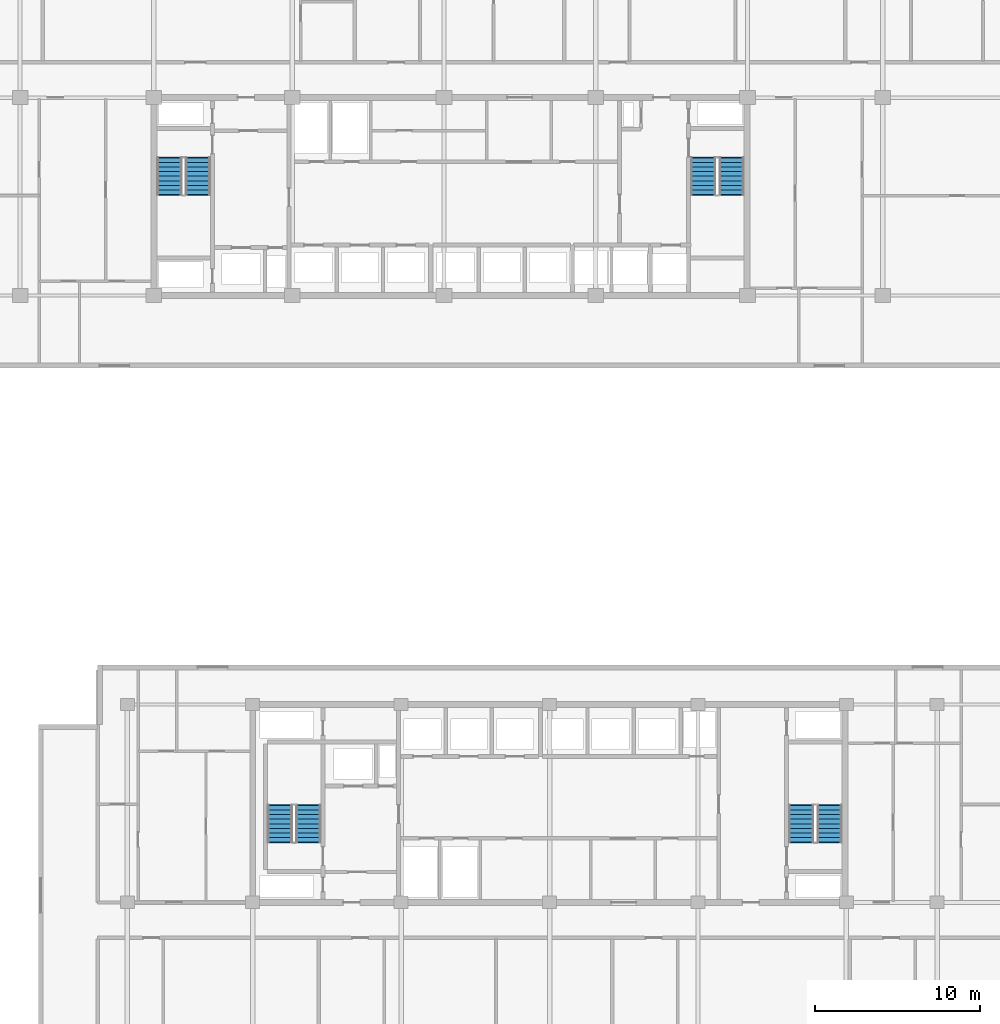
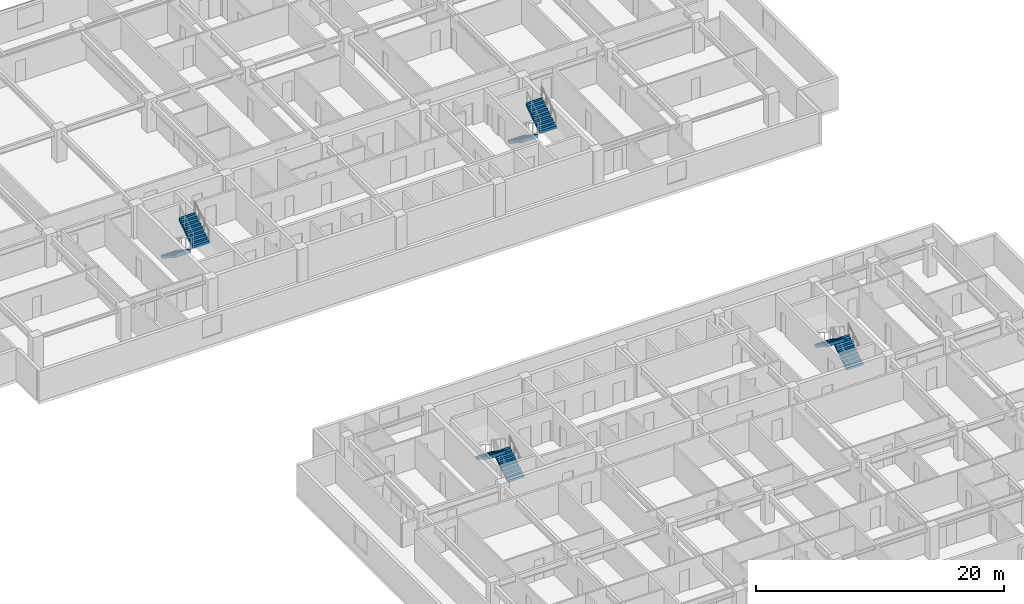
# One storey, part 17 of 22: 8 stair flights, 4 elements without a shape of their own.
"""IFC4 building model written with IfcOpenShell, lengths in metres."""

from ifc_helpers import new_model, si_unit, direction, frame, origin, place, context, subcontext, project, spatial, polyline, outline, extrude, material, type_object, element, aggregate, save


model = new_model("IFC4")

# Units and contexts
model_context = context("Model", 3, precision=1e-05, world=origin(), true_north=direction((0.0, 1.0)))
body_context = subcontext(model_context, "Body", "Model", "MODEL_VIEW")
ifc_project = project(units=[si_unit("LENGTHUNIT", "METRE"), si_unit("AREAUNIT", "SQUARE_METRE"), si_unit("VOLUMEUNIT", "CUBIC_METRE"), si_unit("PLANEANGLEUNIT", "RADIAN"), si_unit("MASSUNIT", "GRAM", prefix="KILO")], contexts=[model_context])

# Site, building, storey
site_placement = place(None, origin())
site = spatial("IfcSite", under=ifc_project, at=site_placement, CompositionType="ELEMENT")
building_placement = place(site_placement, origin())
building = spatial("IfcBuilding", under=site, at=building_placement, Name="Korimba Cascade Residences", CompositionType="ELEMENT")
storey_placement = place(building_placement, frame((0.0, 0.0, 84.050048828125)))
storey = spatial("IfcBuildingStorey", under=building, at=storey_placement, Name="L23", CompositionType="ELEMENT", Elevation=84.050048828125)

# Stair, stair flights
ifc_material = material(Name="Concrete C50/60", Category="concrete")
stair_type_1 = type_object("IfcStairType", Name="STR-W1-18R-1806", PredefinedType="HALF_TURN_STAIR", material=ifc_material)
stair_1_placement = place(storey_placement, origin())
stair_1 = element("IfcStair", 1, at=stair_1_placement, inside=storey, type_object=stair_type_1, Name="L23 Tower 1 West Fire Stair ST-W1", PredefinedType="HALF_TURN_STAIR")
stair_flight_type = type_object("IfcStairFlightType", Name="STF-DL-18R-1806-1520", PredefinedType="STRAIGHT", material=ifc_material)
stair_flight_1_placement = place(storey_placement, frame((77.06005859375, 63.550048828125, 0.0), z_axis=(0.0, 0.0, 1.0), x_axis=(0.0, -1.0, 0.0)))
stair_flight_1 = element("IfcStairFlight", 2, at=stair_flight_1_placement, type_object=stair_flight_type, Name="ST-W1 flight 1", NumberOfRisers=9, NumberOfTreads=8, PredefinedType="STRAIGHT", RiserHeight=0.180555556, TreadLength=0.28, context=body_context, shape_type="SweptSolid", body=[
    extrude(outline(polyline([(-0.0380859375, 0.0), (0.0, 0.1806640625), (0.280029296875, 0.1806640625), (0.280029296875, 0.361083984375), (0.56005859375, 0.361083984375), (0.56005859375, 0.541748046875), (0.840087890625, 0.541748046875), (0.840087890625, 0.72216796875), (1.1201171875, 0.72216796875), (1.1201171875, 0.90283203125), (1.39990234375, 0.90283203125), (1.39990234375, 1.083251953125), (1.679931640625, 1.083251953125), (1.679931640625, 1.263916015625), (1.9599609375, 1.263916015625), (1.9599609375, 1.4443359375), (2.239990234375, 1.4443359375), (2.239990234375, 1.625), (2.278076171875, 1.625), (2.278076171875, 1.26611328125), (0.276611328125, 0.0), (0.276611328125, -0.0380859375), (-0.0380859375, -0.0380859375), (-0.0380859375, 0.0)])), frame((0.0, 0.760009765625, 0.0), z_axis=(0.0, -1.0, 0.0), x_axis=(1.0, 0.0, 0.0)), (0.0, 0.0, 1.0), 1.52001953125),
])
stair_flight_2_placement = place(storey_placement, frame((78.780029296875, 61.31005859375, 1.625), z_axis=(0.0, 0.0, 1.0), x_axis=(0.0, 1.0, 0.0)))
stair_flight_2 = element("IfcStairFlight", 3, at=stair_flight_2_placement, type_object=stair_flight_type, Name="ST-W1 flight 2", NumberOfRisers=9, NumberOfTreads=8, PredefinedType="STRAIGHT", RiserHeight=0.180555556, TreadLength=0.28, context=body_context, shape_type="SweptSolid", body=[
    extrude(outline(polyline([(-0.0380859375, 0.0), (0.0, 0.1806640625), (0.280029296875, 0.1806640625), (0.280029296875, 0.361083984375), (0.56005859375, 0.361083984375), (0.56005859375, 0.541748046875), (0.840087890625, 0.541748046875), (0.840087890625, 0.72216796875), (1.1201171875, 0.72216796875), (1.1201171875, 0.90283203125), (1.39990234375, 0.90283203125), (1.39990234375, 1.083251953125), (1.679931640625, 1.083251953125), (1.679931640625, 1.263916015625), (1.9599609375, 1.263916015625), (1.9599609375, 1.4443359375), (2.239990234375, 1.4443359375), (2.239990234375, 1.625), (2.278076171875, 1.625), (2.278076171875, 1.26611328125), (0.276611328125, 0.0), (0.276611328125, -0.0380859375), (-0.0380859375, -0.0380859375), (-0.0380859375, 0.0)])), frame((0.0, 0.760009765625, 0.0), z_axis=(0.0, -1.0, 0.0), x_axis=(1.0, 0.0, 0.0)), (0.0, 0.0, 1.0), 1.52001953125),
])
aggregate(stair_1, [stair_flight_1, stair_flight_2])

stair_type_2 = type_object("IfcStairType", Name="STR-W2-18R-1806", PredefinedType="HALF_TURN_STAIR", material=ifc_material)
stair_2_placement = place(storey_placement, origin())
stair_2 = element("IfcStair", 4, at=stair_2_placement, inside=storey, type_object=stair_type_2, Name="L23 Tower 1 East Fire Stair ST-W2", PredefinedType="HALF_TURN_STAIR")
stair_flight_3_placement = place(storey_placement, frame((109.419921875, 63.550048828125, 0.0), z_axis=(0.0, 0.0, 1.0), x_axis=(0.0, -1.0, 0.0)))
stair_flight_3 = element("IfcStairFlight", 5, at=stair_flight_3_placement, type_object=stair_flight_type, Name="ST-W2 flight 1", NumberOfRisers=9, NumberOfTreads=8, PredefinedType="STRAIGHT", RiserHeight=0.180555556, TreadLength=0.28, context=body_context, shape_type="SweptSolid", body=[
    extrude(outline(polyline([(-0.0380859375, 0.0), (0.0, 0.1806640625), (0.280029296875, 0.1806640625), (0.280029296875, 0.361083984375), (0.56005859375, 0.361083984375), (0.56005859375, 0.541748046875), (0.840087890625, 0.541748046875), (0.840087890625, 0.72216796875), (1.1201171875, 0.72216796875), (1.1201171875, 0.90283203125), (1.39990234375, 0.90283203125), (1.39990234375, 1.083251953125), (1.679931640625, 1.083251953125), (1.679931640625, 1.263916015625), (1.9599609375, 1.263916015625), (1.9599609375, 1.4443359375), (2.239990234375, 1.4443359375), (2.239990234375, 1.625), (2.278076171875, 1.625), (2.278076171875, 1.26611328125), (0.276611328125, 0.0), (0.276611328125, -0.0380859375), (-0.0380859375, -0.0380859375), (-0.0380859375, 0.0)])), frame((0.0, 0.760009765625, 0.0), z_axis=(0.0, -1.0, 0.0), x_axis=(1.0, 0.0, 0.0)), (0.0, 0.0, 1.0), 1.52001953125),
])
stair_flight_4_placement = place(storey_placement, frame((111.139892578125, 61.31005859375, 1.625), z_axis=(0.0, 0.0, 1.0), x_axis=(0.0, 1.0, 0.0)))
stair_flight_4 = element("IfcStairFlight", 6, at=stair_flight_4_placement, type_object=stair_flight_type, Name="ST-W2 flight 2", NumberOfRisers=9, NumberOfTreads=8, PredefinedType="STRAIGHT", RiserHeight=0.180555556, TreadLength=0.28, context=body_context, shape_type="SweptSolid", body=[
    extrude(outline(polyline([(-0.0380859375, 0.0), (0.0, 0.1806640625), (0.280029296875, 0.1806640625), (0.280029296875, 0.361083984375), (0.56005859375, 0.361083984375), (0.56005859375, 0.541748046875), (0.840087890625, 0.541748046875), (0.840087890625, 0.72216796875), (1.1201171875, 0.72216796875), (1.1201171875, 0.90283203125), (1.39990234375, 0.90283203125), (1.39990234375, 1.083251953125), (1.679931640625, 1.083251953125), (1.679931640625, 1.263916015625), (1.9599609375, 1.263916015625), (1.9599609375, 1.4443359375), (2.239990234375, 1.4443359375), (2.239990234375, 1.625), (2.278076171875, 1.625), (2.278076171875, 1.26611328125), (0.276611328125, 0.0), (0.276611328125, -0.0380859375), (-0.0380859375, -0.0380859375), (-0.0380859375, 0.0)])), frame((0.0, 0.760009765625, 0.0), z_axis=(0.0, -1.0, 0.0), x_axis=(1.0, 0.0, 0.0)), (0.0, 0.0, 1.0), 1.52001953125),
])
aggregate(stair_2, [stair_flight_3, stair_flight_4])

stair_type_3 = type_object("IfcStairType", Name="STR-E1-18R-1806", PredefinedType="HALF_TURN_STAIR", material=ifc_material)
stair_3_placement = place(storey_placement, origin())
stair_3 = element("IfcStair", 7, at=stair_3_placement, inside=storey, type_object=stair_type_3, Name="L23 Tower 2 West Fire Stair ST-E1", PredefinedType="HALF_TURN_STAIR")
stair_flight_5_placement = place(storey_placement, frame((85.47998046875, 22.050048828125, 0.0), z_axis=(0.0, 0.0, 1.0), x_axis=(0.0, 1.0, 0.0)))
stair_flight_5 = element("IfcStairFlight", 8, at=stair_flight_5_placement, type_object=stair_flight_type, Name="ST-E1 flight 1", NumberOfRisers=9, NumberOfTreads=8, PredefinedType="STRAIGHT", RiserHeight=0.180555556, TreadLength=0.28, context=body_context, shape_type="SweptSolid", body=[
    extrude(outline(polyline([(-0.0380859375, 0.0), (0.0, 0.1806640625), (0.280029296875, 0.1806640625), (0.280029296875, 0.361083984375), (0.56005859375, 0.361083984375), (0.56005859375, 0.541748046875), (0.840087890625, 0.541748046875), (0.840087890625, 0.72216796875), (1.1201171875, 0.72216796875), (1.1201171875, 0.90283203125), (1.39990234375, 0.90283203125), (1.39990234375, 1.083251953125), (1.679931640625, 1.083251953125), (1.679931640625, 1.263916015625), (1.9599609375, 1.263916015625), (1.9599609375, 1.4443359375), (2.239990234375, 1.4443359375), (2.239990234375, 1.625), (2.278076171875, 1.625), (2.278076171875, 1.26611328125), (0.276611328125, 0.0), (0.276611328125, -0.0380859375), (-0.0380859375, -0.0380859375), (-0.0380859375, 0.0)])), frame((0.0, 0.760009765625, 0.0), z_axis=(0.0, -1.0, 0.0), x_axis=(1.0, 0.0, 0.0)), (0.0, 0.0, 1.0), 1.52001953125),
])
stair_flight_6_placement = place(storey_placement, frame((83.760009765625, 24.2900390625, 1.625), z_axis=(0.0, 0.0, 1.0), x_axis=(0.0, -1.0, 0.0)))
stair_flight_6 = element("IfcStairFlight", 9, at=stair_flight_6_placement, type_object=stair_flight_type, Name="ST-E1 flight 2", NumberOfRisers=9, NumberOfTreads=8, PredefinedType="STRAIGHT", RiserHeight=0.180555556, TreadLength=0.28, context=body_context, shape_type="SweptSolid", body=[
    extrude(outline(polyline([(-0.0380859375, 0.0), (0.0, 0.1806640625), (0.280029296875, 0.1806640625), (0.280029296875, 0.361083984375), (0.56005859375, 0.361083984375), (0.56005859375, 0.541748046875), (0.840087890625, 0.541748046875), (0.840087890625, 0.72216796875), (1.1201171875, 0.72216796875), (1.1201171875, 0.90283203125), (1.39990234375, 0.90283203125), (1.39990234375, 1.083251953125), (1.679931640625, 1.083251953125), (1.679931640625, 1.263916015625), (1.9599609375, 1.263916015625), (1.9599609375, 1.4443359375), (2.239990234375, 1.4443359375), (2.239990234375, 1.625), (2.278076171875, 1.625), (2.278076171875, 1.26611328125), (0.276611328125, 0.0), (0.276611328125, -0.0380859375), (-0.0380859375, -0.0380859375), (-0.0380859375, 0.0)])), frame((0.0, 0.760009765625, 0.0), z_axis=(0.0, -1.0, 0.0), x_axis=(1.0, 0.0, 0.0)), (0.0, 0.0, 1.0), 1.52001953125),
])
aggregate(stair_3, [stair_flight_5, stair_flight_6])

stair_type_4 = type_object("IfcStairType", Name="STR-E2-18R-1806", PredefinedType="HALF_TURN_STAIR", material=ifc_material)
stair_4_placement = place(storey_placement, origin())
stair_4 = element("IfcStair", 10, at=stair_4_placement, inside=storey, type_object=stair_type_4, Name="L23 Tower 2 East Fire Stair ST-E2", PredefinedType="HALF_TURN_STAIR")
stair_flight_7_placement = place(storey_placement, frame((117.080078125, 22.050048828125, 0.0), z_axis=(0.0, 0.0, 1.0), x_axis=(0.0, 1.0, 0.0)))
stair_flight_7 = element("IfcStairFlight", 11, at=stair_flight_7_placement, type_object=stair_flight_type, Name="ST-E2 flight 1", NumberOfRisers=9, NumberOfTreads=8, PredefinedType="STRAIGHT", RiserHeight=0.180555556, TreadLength=0.28, context=body_context, shape_type="SweptSolid", body=[
    extrude(outline(polyline([(-0.0380859375, 0.0), (0.0, 0.1806640625), (0.280029296875, 0.1806640625), (0.280029296875, 0.361083984375), (0.56005859375, 0.361083984375), (0.56005859375, 0.541748046875), (0.840087890625, 0.541748046875), (0.840087890625, 0.72216796875), (1.1201171875, 0.72216796875), (1.1201171875, 0.90283203125), (1.39990234375, 0.90283203125), (1.39990234375, 1.083251953125), (1.679931640625, 1.083251953125), (1.679931640625, 1.263916015625), (1.9599609375, 1.263916015625), (1.9599609375, 1.4443359375), (2.239990234375, 1.4443359375), (2.239990234375, 1.625), (2.278076171875, 1.625), (2.278076171875, 1.26611328125), (0.276611328125, 0.0), (0.276611328125, -0.0380859375), (-0.0380859375, -0.0380859375), (-0.0380859375, 0.0)])), frame((0.0, 0.760009765625, 0.0), z_axis=(0.0, -1.0, 0.0), x_axis=(1.0, 0.0, 0.0)), (0.0, 0.0, 1.0), 1.52001953125),
])
stair_flight_8_placement = place(storey_placement, frame((115.360107421875, 24.2900390625, 1.625), z_axis=(0.0, 0.0, 1.0), x_axis=(0.0, -1.0, 0.0)))
stair_flight_8 = element("IfcStairFlight", 12, at=stair_flight_8_placement, type_object=stair_flight_type, Name="ST-E2 flight 2", NumberOfRisers=9, NumberOfTreads=8, PredefinedType="STRAIGHT", RiserHeight=0.180555556, TreadLength=0.28, context=body_context, shape_type="SweptSolid", body=[
    extrude(outline(polyline([(-0.0380859375, 0.0), (0.0, 0.1806640625), (0.280029296875, 0.1806640625), (0.280029296875, 0.361083984375), (0.56005859375, 0.361083984375), (0.56005859375, 0.541748046875), (0.840087890625, 0.541748046875), (0.840087890625, 0.72216796875), (1.1201171875, 0.72216796875), (1.1201171875, 0.90283203125), (1.39990234375, 0.90283203125), (1.39990234375, 1.083251953125), (1.679931640625, 1.083251953125), (1.679931640625, 1.263916015625), (1.9599609375, 1.263916015625), (1.9599609375, 1.4443359375), (2.239990234375, 1.4443359375), (2.239990234375, 1.625), (2.278076171875, 1.625), (2.278076171875, 1.26611328125), (0.276611328125, 0.0), (0.276611328125, -0.0380859375), (-0.0380859375, -0.0380859375), (-0.0380859375, 0.0)])), frame((0.0, 0.760009765625, 0.0), z_axis=(0.0, -1.0, 0.0), x_axis=(1.0, 0.0, 0.0)), (0.0, 0.0, 1.0), 1.52001953125),
])
aggregate(stair_4, [stair_flight_7, stair_flight_8])

save(model, "model.ifc")
